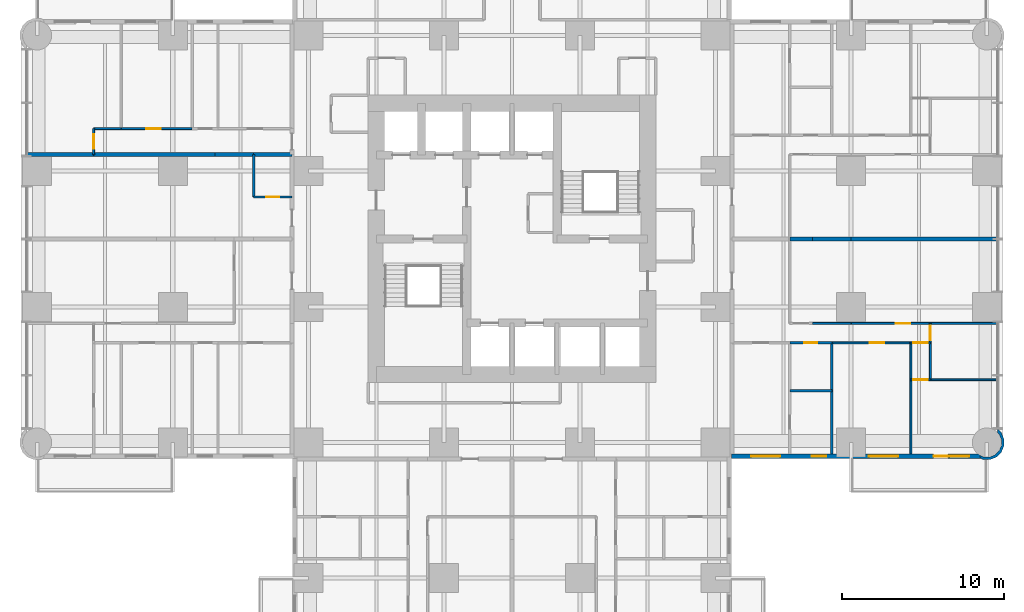
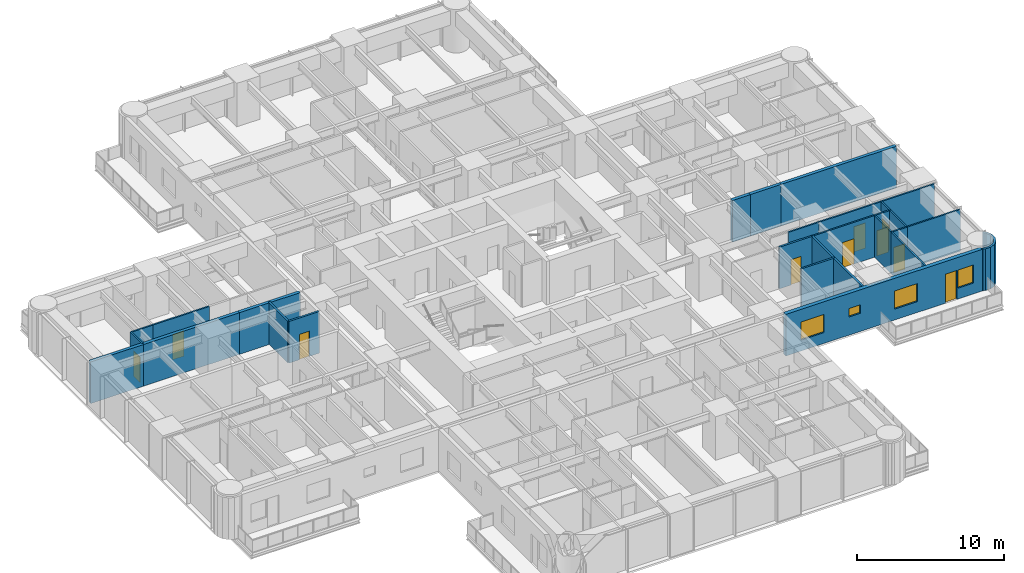
# One storey, part 11 of 17: 29 walls, 10 doors, 4 windows, 14 openings.
"""IFC4 building model written with IfcOpenShell, lengths in metres."""

from ifc_helpers import new_model, si_unit, direction, frame, frame_2d, origin, place, context, subcontext, project, spatial, polyline, rectangle, outline, extrude, material, layer, layer_set, type_object, element, fill, save


model = new_model("IFC4")

# Units and contexts
model_context = context("Model", 3, precision=1e-05, world=origin(), true_north=direction((0.0, 1.0)))
body_context = subcontext(model_context, "Body", "Model", "MODEL_VIEW")
ifc_project = project(units=[si_unit("LENGTHUNIT", "METRE"), si_unit("AREAUNIT", "SQUARE_METRE"), si_unit("VOLUMEUNIT", "CUBIC_METRE"), si_unit("PLANEANGLEUNIT", "RADIAN"), si_unit("MASSUNIT", "GRAM", prefix="KILO")], contexts=[model_context])

# Site, building, storey
site_placement = place(None, origin())
site = spatial("IfcSite", under=ifc_project, at=site_placement, CompositionType="ELEMENT")
building_placement = place(site_placement, origin())
building = spatial("IfcBuilding", under=site, at=building_placement, Name="Torre Alcanfor", CompositionType="ELEMENT")
storey_placement = place(building_placement, frame((0.0, 0.0, 38.10009765625)))
storey = spatial("IfcBuildingStorey", under=building, at=storey_placement, Name="L08", CompositionType="ELEMENT", Elevation=38.10009765625)

# Wall
ifc_material_1 = material(Name="Gypsum board on steel studs", Category="steel")
ifc_layer_1 = layer(ifc_material_1, 0.1201171875)
ifc_layer_set_1 = layer_set([ifc_layer_1], Name="Apartment partition 120")
wall_type_1 = type_object("IfcWallType", Name="Apartment partition 120", PredefinedType="PARTITIONING", material=ifc_layer_set_1)
wall_1_placement = place(storey_placement, frame((50.39990234375, 24.1708984375, 0.0), z_axis=(0.0, 0.0, 1.0), x_axis=(-1.0, 0.0, 0.0)))
element("IfcWall", 1, at=wall_1_placement, inside=storey, type_object=wall_type_1, Name="Partition L08-E2-KITCHEN / L08-E2-HALL", PredefinedType="PARTITIONING", context=body_context, shape_type="SweptSolid", body=[
    extrude(rectangle(XDim=2.39990234375, YDim=0.1201171875, at=frame_2d((1.199951171875, 0.0))), origin(), (0.0, 0.0, 1.0), 3.449951171875),
])

# Wall, opening, door
wall_2_placement = place(storey_placement, frame((55.300048828125, 24.1708984375, 0.0), z_axis=(0.0, 0.0, 1.0), x_axis=(-1.0, 0.0, 0.0)))
wall_2 = element("IfcWall", 2, at=wall_2_placement, inside=storey, type_object=wall_type_1, Name="Partition L08-E2-LIVING / L08-E2-HALL", PredefinedType="PARTITIONING", context=body_context, shape_type="SweptSolid", body=[
    extrude(rectangle(XDim=4.900146484375, YDim=0.1201171875, at=frame_2d((2.4501953125, 0.0))), origin(), (0.0, 0.0, 1.0), 3.449951171875),
])
opening_1_placement = place(wall_2_placement, frame((1.25, 0.0, 0.0)))
opening_1 = element("IfcOpeningElement", 3, at=opening_1_placement, cuts=wall_2, Name="Opening D-R1", PredefinedType="OPENING", context=body_context, shape_type="SweptSolid", body=[
    extrude(rectangle(XDim=0.89990234375, YDim=2.10009765625, at=frame_2d((0.449951171875, 1.050048828125))), frame((0.0, 0.070068359375, 0.0), z_axis=(0.0, -1.0, 0.0), x_axis=(1.0, 0.0, 0.0)), (0.0, 0.0, 1.0), 0.14013671875),
])
ifc_material_2 = material(Name="Timber", Category="wood")
door_type_1 = type_object("IfcDoorType", Name="Internal door 900x2100", OperationType="SINGLE_SWING_LEFT", PredefinedType="DOOR", material=ifc_material_2)
door_1_placement = place(opening_1_placement, frame((0.89990234375, 0.0, 0.0), z_axis=(0.0, 0.0, 1.0), x_axis=(-1.0, 0.0, 0.0)))
door_1 = element("IfcDoor", 4, at=door_1_placement, inside=storey, type_object=door_type_1, Name="Door L08-E2 living", OperationType="SINGLE_SWING_LEFT", OverallHeight=2.10009765625, OverallWidth=0.89990234375, PredefinedType="DOOR", context=body_context, shape_type="SweptSolid", body=[
    extrude(rectangle(XDim=0.89990234375, YDim=2.10009765625, at=frame_2d((0.449951171875, 1.050048828125))), frame((0.0, 0.025146484375, 0.0), z_axis=(0.0, -1.0, 0.0), x_axis=(1.0, 0.0, 0.0)), (0.0, 0.0, 1.0), 0.050048828125),
])
fill(opening_1, door_1)

# Wall
wall_3_placement = place(storey_placement, frame((59.449951171875, 24.1708984375, 0.0), z_axis=(0.0, 0.0, 1.0), x_axis=(-1.0, 0.0, 0.0)))
element("IfcWall", 5, at=wall_3_placement, inside=storey, type_object=wall_type_1, Name="Partition L08-E2-LIVING / L08-E2-BED2", PredefinedType="PARTITIONING", context=body_context, shape_type="SweptSolid", body=[
    extrude(rectangle(XDim=4.14990234375, YDim=0.1201171875, at=frame_2d((2.074951171875, 0.0))), origin(), (0.0, 0.0, 1.0), 3.449951171875),
])

# Wall, opening, door
wall_4_placement = place(storey_placement, frame((54.10009765625, 22.970947265625, 0.0), z_axis=(0.0, 0.0, 1.0), x_axis=(-1.0, 0.0, 0.0)))
wall_4 = element("IfcWall", 6, at=wall_4_placement, inside=storey, type_object=wall_type_1, Name="Partition L08-E2-HALL / L08-E2-BED3", PredefinedType="PARTITIONING", context=body_context, shape_type="SweptSolid", body=[
    extrude(rectangle(XDim=4.900146484375, YDim=0.1201171875, at=frame_2d((2.4501953125, 0.0))), origin(), (0.0, 0.0, 1.0), 3.449951171875),
])
opening_2_placement = place(wall_4_placement, frame((1.64990234375, 0.0, 0.0)))
opening_2 = element("IfcOpeningElement", 7, at=opening_2_placement, cuts=wall_4, Name="Opening D-R1", PredefinedType="OPENING", context=body_context, shape_type="SweptSolid", body=[
    extrude(rectangle(XDim=0.89990234375, YDim=2.10009765625, at=frame_2d((0.449951171875, 1.050048828125))), frame((0.0, 0.070068359375, 0.0), z_axis=(0.0, -1.0, 0.0), x_axis=(1.0, 0.0, 0.0)), (0.0, 0.0, 1.0), 0.14013671875),
])
door_2_placement = place(opening_2_placement, origin())
door_2 = element("IfcDoor", 8, at=door_2_placement, inside=storey, type_object=door_type_1, Name="Door L08-E2 bed3", OperationType="SINGLE_SWING_LEFT", OverallHeight=2.10009765625, OverallWidth=0.89990234375, PredefinedType="DOOR", context=body_context, shape_type="SweptSolid", body=[
    extrude(rectangle(XDim=0.89990234375, YDim=2.10009765625, at=frame_2d((0.449951171875, 1.050048828125))), frame((0.0, 0.02490234375, 0.0), z_axis=(0.0, -1.0, 0.0), x_axis=(1.0, 0.0, 0.0)), (0.0, 0.0, 1.0), 0.050048828125),
])
fill(opening_2, door_2)

wall_5_placement = place(storey_placement, frame((55.300048828125, 22.970947265625, 0.0), z_axis=(0.0, 0.0, 1.0), x_axis=(-1.0, 0.0, 0.0)))
wall_5 = element("IfcWall", 9, at=wall_5_placement, inside=storey, type_object=wall_type_1, Name="Partition L08-E2-HALL / L08-E2-VEST", PredefinedType="PARTITIONING", context=body_context, shape_type="SweptSolid", body=[
    extrude(rectangle(XDim=1.199951171875, YDim=0.1201171875, at=frame_2d((0.60009765625, 0.0))), origin(), (0.0, 0.0, 1.0), 3.449951171875),
])
opening_3_placement = place(wall_5_placement, frame((0.14990234375, 0.0, 0.0)))
opening_3 = element("IfcOpeningElement", 10, at=opening_3_placement, cuts=wall_5, Name="Opening D-R1", PredefinedType="OPENING", context=body_context, shape_type="SweptSolid", body=[
    extrude(rectangle(XDim=0.89990234375, YDim=2.10009765625, at=frame_2d((0.449951171875, 1.050048828125))), frame((0.0, 0.070068359375, 0.0), z_axis=(0.0, -1.0, 0.0), x_axis=(1.0, 0.0, 0.0)), (0.0, 0.0, 1.0), 0.14013671875),
])
door_3_placement = place(opening_3_placement, origin())
door_3 = element("IfcDoor", 11, at=door_3_placement, inside=storey, type_object=door_type_1, Name="Door L08-E2 vest", OperationType="SINGLE_SWING_LEFT", OverallHeight=2.10009765625, OverallWidth=0.89990234375, PredefinedType="DOOR", context=body_context, shape_type="SweptSolid", body=[
    extrude(rectangle(XDim=0.89990234375, YDim=2.10009765625, at=frame_2d((0.449951171875, 1.050048828125))), frame((0.0, 0.02490234375, 0.0), z_axis=(0.0, -1.0, 0.0), x_axis=(1.0, 0.0, 0.0)), (0.0, 0.0, 1.0), 0.050048828125),
])
fill(opening_3, door_3)

wall_6_placement = place(storey_placement, frame((55.300048828125, 24.1708984375, 0.0), z_axis=(0.0, 0.0, 1.0), x_axis=(0.0, -1.0, 0.0)))
wall_6 = element("IfcWall", 12, at=wall_6_placement, inside=storey, type_object=wall_type_1, Name="Partition L08-E2-HALL / L08-E2-BED2", PredefinedType="PARTITIONING", context=body_context, shape_type="SweptSolid", body=[
    extrude(rectangle(XDim=1.199951171875, YDim=0.1201171875, at=frame_2d((0.60009765625, 0.0))), origin(), (0.0, 0.0, 1.0), 3.449951171875),
])
opening_4_placement = place(wall_6_placement, frame((0.15087890625, 0.0, 0.0)))
opening_4 = element("IfcOpeningElement", 13, at=opening_4_placement, cuts=wall_6, Name="Opening D-R1", PredefinedType="OPENING", context=body_context, shape_type="SweptSolid", body=[
    extrude(rectangle(XDim=0.89990234375, YDim=2.10009765625, at=frame_2d((0.449951171875, 1.050048828125))), frame((0.0, 0.070068359375, 0.0), z_axis=(0.0, -1.0, 0.0), x_axis=(1.0, 0.0, 0.0)), (0.0, 0.0, 1.0), 0.14013671875),
])
door_4_placement = place(opening_4_placement, origin())
door_4 = element("IfcDoor", 14, at=door_4_placement, inside=storey, type_object=door_type_1, Name="Door L08-E2 bed2", OperationType="SINGLE_SWING_LEFT", OverallHeight=2.10009765625, OverallWidth=0.89990234375, PredefinedType="DOOR", context=body_context, shape_type="SweptSolid", body=[
    extrude(rectangle(XDim=0.89990234375, YDim=2.10009765625, at=frame_2d((0.449951171875, 1.050048828125))), frame((0.0, 0.02490234375, 0.0), z_axis=(0.0, -1.0, 0.0), x_axis=(1.0, 0.0, 0.0)), (0.0, 0.0, 1.0), 0.050048828125),
])
fill(opening_4, door_4)

# Walls
wall_7_placement = place(storey_placement, frame((54.10009765625, 22.970947265625, 0.0), z_axis=(0.0, 0.0, 1.0), x_axis=(0.0, -1.0, 0.0)))
element("IfcWall", 15, at=wall_7_placement, inside=storey, type_object=wall_type_1, Name="Partition L08-E2-BED3 / L08-E2-VEST", PredefinedType="PARTITIONING", context=body_context, shape_type="SweptSolid", body=[
    extrude(rectangle(XDim=2.284912109375, YDim=0.1201171875, at=frame_2d((1.142578125, 0.0))), origin(), (0.0, 0.0, 1.0), 3.449951171875),
])
wall_8_placement = place(storey_placement, frame((54.10009765625, 20.68603515625, 0.0), z_axis=(0.0, 0.0, 1.0), x_axis=(0.0, -1.0, 0.0)))
element("IfcWall", 16, at=wall_8_placement, inside=storey, type_object=wall_type_1, Name="Partition L08-E2-BED3 / L08-E2-MASTER", PredefinedType="PARTITIONING", context=body_context, shape_type="SweptSolid", body=[
    extrude(rectangle(XDim=4.5859375, YDim=0.1201171875, at=frame_2d((2.29296875, 0.0))), origin(), (0.0, 0.0, 1.0), 3.449951171875),
])
wall_9_placement = place(storey_placement, frame((55.300048828125, 22.970947265625, 0.0), z_axis=(0.0, 0.0, 1.0), x_axis=(0.0, -1.0, 0.0)))
element("IfcWall", 17, at=wall_9_placement, inside=storey, type_object=wall_type_1, Name="Partition L08-E2-VEST / L08-E2-BED2", PredefinedType="PARTITIONING", context=body_context, shape_type="SweptSolid", body=[
    extrude(rectangle(XDim=2.284912109375, YDim=0.1201171875, at=frame_2d((1.142578125, 0.0))), origin(), (0.0, 0.0, 1.0), 3.449951171875),
])

# Wall, opening, door
wall_10_placement = place(storey_placement, frame((55.300048828125, 20.68603515625, 0.0), z_axis=(0.0, 0.0, 1.0), x_axis=(-1.0, 0.0, 0.0)))
wall_10 = element("IfcWall", 18, at=wall_10_placement, inside=storey, type_object=wall_type_1, Name="Partition L08-E2-VEST / L08-E2-MASTER", PredefinedType="PARTITIONING", context=body_context, shape_type="SweptSolid", body=[
    extrude(rectangle(XDim=1.199951171875, YDim=0.1201171875, at=frame_2d((0.60009765625, 0.0))), origin(), (0.0, 0.0, 1.0), 3.449951171875),
])
opening_5_placement = place(wall_10_placement, frame((0.14990234375, 0.0, 0.0)))
opening_5 = element("IfcOpeningElement", 19, at=opening_5_placement, cuts=wall_10, Name="Opening D-R1", PredefinedType="OPENING", context=body_context, shape_type="SweptSolid", body=[
    extrude(rectangle(XDim=0.89990234375, YDim=2.10009765625, at=frame_2d((0.449951171875, 1.050048828125))), frame((0.0, 0.070068359375, 0.0), z_axis=(0.0, -1.0, 0.0), x_axis=(1.0, 0.0, 0.0)), (0.0, 0.0, 1.0), 0.14013671875),
])
door_5_placement = place(opening_5_placement, frame((0.89990234375, 0.0, 0.0), z_axis=(0.0, 0.0, 1.0), x_axis=(-1.0, 0.0, 0.0)))
door_5 = element("IfcDoor", 20, at=door_5_placement, inside=storey, type_object=door_type_1, Name="Door L08-E2 master", OperationType="SINGLE_SWING_RIGHT", OverallHeight=2.10009765625, OverallWidth=0.89990234375, PredefinedType="DOOR", context=body_context, shape_type="SweptSolid", body=[
    extrude(rectangle(XDim=0.89990234375, YDim=2.10009765625, at=frame_2d((0.449951171875, 1.050048828125))), frame((0.0, 0.025146484375, 0.0), z_axis=(0.0, -1.0, 0.0), x_axis=(1.0, 0.0, 0.0)), (0.0, 0.0, 1.0), 0.050048828125),
])
fill(opening_5, door_5)

# Wall
wall_11_placement = place(storey_placement, frame((59.449951171875, 20.68603515625, 0.0), z_axis=(0.0, 0.0, 1.0), x_axis=(-1.0, 0.0, 0.0)))
element("IfcWall", 21, at=wall_11_placement, inside=storey, type_object=wall_type_1, Name="Partition L08-E2-BED2 / L08-E2-MASTER", PredefinedType="PARTITIONING", context=body_context, shape_type="SweptSolid", body=[
    extrude(rectangle(XDim=4.14990234375, YDim=0.1201171875, at=frame_2d((2.074951171875, 0.0))), origin(), (0.0, 0.0, 1.0), 3.449951171875),
])

# Wall, opening, door
wall_12_placement = place(storey_placement, frame((5.199951171875, 36.22900390625, 0.0), z_axis=(0.0, 0.0, 1.0), x_axis=(1.0, 0.0, 0.0)))
wall_12 = element("IfcWall", 22, at=wall_12_placement, inside=storey, type_object=wall_type_1, Name="Partition L08-W2B-HALL / L08-W2B-STUDY", PredefinedType="PARTITIONING", context=body_context, shape_type="SweptSolid", body=[
    extrude(rectangle(XDim=4.400146484375, YDim=0.1201171875, at=frame_2d((2.2001953125, 0.0))), origin(), (0.0, 0.0, 1.0), 3.449951171875),
])
opening_6_placement = place(wall_12_placement, frame((1.550048828125, 0.0, 0.0)))
opening_6 = element("IfcOpeningElement", 23, at=opening_6_placement, cuts=wall_12, Name="Opening D-R1", PredefinedType="OPENING", context=body_context, shape_type="SweptSolid", body=[
    extrude(rectangle(XDim=0.89990234375, YDim=2.10009765625, at=frame_2d((0.449951171875, 1.050048828125))), frame((0.0, 0.070068359375, 0.0), z_axis=(0.0, -1.0, 0.0), x_axis=(1.0, 0.0, 0.0)), (0.0, 0.0, 1.0), 0.14013671875),
])
door_6_placement = place(opening_6_placement, origin())
door_6 = element("IfcDoor", 24, at=door_6_placement, inside=storey, type_object=door_type_1, Name="Door L08-W2B study", OperationType="SINGLE_SWING_LEFT", OverallHeight=2.10009765625, OverallWidth=0.89990234375, PredefinedType="DOOR", context=body_context, shape_type="SweptSolid", body=[
    extrude(rectangle(XDim=0.89990234375, YDim=2.10009765625, at=frame_2d((0.449951171875, 1.050048828125))), frame((0.0, 0.02490234375, 0.0), z_axis=(0.0, -1.0, 0.0), x_axis=(1.0, 0.0, 0.0)), (0.0, 0.0, 1.0), 0.050048828125),
])
fill(opening_6, door_6)

# Wall
wall_13_placement = place(storey_placement, frame((3.5, 36.22900390625, 0.0), z_axis=(0.0, 0.0, 1.0), x_axis=(1.0, 0.0, 0.0)))
element("IfcWall", 25, at=wall_13_placement, inside=storey, type_object=wall_type_1, Name="Partition L08-W2B-HALL / L08-W2B-KITCHEN", PredefinedType="PARTITIONING", context=body_context, shape_type="SweptSolid", body=[
    extrude(rectangle(XDim=1.699951171875, YDim=0.1201171875, at=frame_2d((0.85009765625, 0.0))), origin(), (0.0, 0.0, 1.0), 3.449951171875),
])

# Wall, opening, door
wall_14_placement = place(storey_placement, frame((3.5, 34.62890625, 0.0), z_axis=(0.0, 0.0, 1.0), x_axis=(0.0, 1.0, 0.0)))
wall_14 = element("IfcWall", 26, at=wall_14_placement, inside=storey, type_object=wall_type_1, Name="Partition L08-W2B-HALL / L08-W2B-LIVING", PredefinedType="PARTITIONING", context=body_context, shape_type="SweptSolid", body=[
    extrude(rectangle(XDim=1.60009765625, YDim=0.1201171875, at=frame_2d((0.800048828125, 0.0))), origin(), (0.0, 0.0, 1.0), 3.449951171875),
])
opening_7_placement = place(wall_14_placement, frame((0.35009765625, 0.0, 0.0)))
opening_7 = element("IfcOpeningElement", 27, at=opening_7_placement, cuts=wall_14, Name="Opening D-R1", PredefinedType="OPENING", context=body_context, shape_type="SweptSolid", body=[
    extrude(rectangle(XDim=0.89990234375, YDim=2.10009765625, at=frame_2d((0.449951171875, 1.050048828125))), frame((0.0, 0.070068359375, 0.0), z_axis=(0.0, -1.0, 0.0), x_axis=(1.0, 0.0, 0.0)), (0.0, 0.0, 1.0), 0.14013671875),
])
door_7_placement = place(opening_7_placement, origin())
door_7 = element("IfcDoor", 28, at=door_7_placement, inside=storey, type_object=door_type_1, Name="Door L08-W2B living", OperationType="SINGLE_SWING_LEFT", OverallHeight=2.10009765625, OverallWidth=0.89990234375, PredefinedType="DOOR", context=body_context, shape_type="SweptSolid", body=[
    extrude(rectangle(XDim=0.89990234375, YDim=2.10009765625, at=frame_2d((0.449951171875, 1.050048828125))), frame((0.0, 0.02490234375, 0.0), z_axis=(0.0, -1.0, 0.0), x_axis=(1.0, 0.0, 0.0)), (0.0, 0.0, 1.0), 0.050048828125),
])
fill(opening_7, door_7)

# Wall, openings, door, windows
ifc_material_3 = material(Name="Limestone cladding", Category="masonry")
ifc_layer_2 = layer(ifc_material_3, 0.0400390625, Name="Facing")
ifc_material_4 = material(Name="Ventilated air cavity")
ifc_layer_3 = layer(ifc_material_4, 0.02001953125, ventilated=True, Name="Ventilated joint")
ifc_material_5 = material(Name="Mineral wool insulation", Category="insulation")
ifc_layer_4 = layer(ifc_material_5, 0.10009765625, Name="Insulation")
ifc_material_6 = material(Name="Concrete f'c 35 MPa", Category="concrete")
ifc_layer_5 = layer(ifc_material_6, 0.139892578125, Name="Backing")
ifc_layer_set_2 = layer_set([ifc_layer_2, ifc_layer_3, ifc_layer_4, ifc_layer_5], Name="External wall stone-clad 300")
wall_type_2 = type_object("IfcWallType", Name="External wall stone-clad 300", PredefinedType="SOLIDWALL", material=ifc_layer_set_2)
wall_15_placement = place(storey_placement, frame((43.0, 15.949951171875, 0.0), z_axis=(0.0, 0.0, 1.0), x_axis=(1.0, 0.0, 0.0)))
wall_15 = element("IfcWall", 29, at=wall_15_placement, inside=storey, type_object=wall_type_2, Name="External wall L08 7", PredefinedType="SOLIDWALL", context=body_context, shape_type="SweptSolid", body=[
    extrude(rectangle(XDim=15.39990234375, YDim=0.300048828125, at=frame_2d((7.699951171875, 0.0))), origin(), (0.0, 0.0, 1.0), 3.449951171875),
])
opening_8_placement = place(wall_15_placement, frame((1.199951171875, 0.0, 0.89990234375)))
opening_8 = element("IfcOpeningElement", 30, at=opening_8_placement, cuts=wall_15, Name="Opening W2", PredefinedType="OPENING", context=body_context, shape_type="SweptSolid", body=[
    extrude(rectangle(XDim=1.800048828125, YDim=1.5, at=frame_2d((0.89990234375, 0.75))), frame((0.0, 0.159912109375, 0.0), z_axis=(0.0, -1.0, 0.0), x_axis=(1.0, 0.0, 0.0)), (0.0, 0.0, 1.0), 0.320068359375),
])
opening_9_placement = place(wall_15_placement, frame((4.949951171875, 0.0, 1.5)))
opening_9 = element("IfcOpeningElement", 31, at=opening_9_placement, cuts=wall_15, Name="Opening W3", PredefinedType="OPENING", context=body_context, shape_type="SweptSolid", body=[
    extrude(rectangle(XDim=0.89990234375, YDim=0.699951171875, at=frame_2d((0.449951171875, 0.35009765625))), frame((0.0, 0.159912109375, 0.0), z_axis=(0.0, -1.0, 0.0), x_axis=(1.0, 0.0, 0.0)), (0.0, 0.0, 1.0), 0.320068359375),
])
opening_10_placement = place(wall_15_placement, frame((8.5, 0.0, 0.89990234375)))
opening_10 = element("IfcOpeningElement", 32, at=opening_10_placement, cuts=wall_15, Name="Opening W2", PredefinedType="OPENING", context=body_context, shape_type="SweptSolid", body=[
    extrude(rectangle(XDim=1.800048828125, YDim=1.5, at=frame_2d((0.89990234375, 0.75))), frame((0.0, 0.159912109375, 0.0), z_axis=(0.0, -1.0, 0.0), x_axis=(1.0, 0.0, 0.0)), (0.0, 0.0, 1.0), 0.320068359375),
])
opening_11_placement = place(wall_15_placement, frame((12.5, 0.0, 0.0)))
opening_11 = element("IfcOpeningElement", 33, at=opening_11_placement, cuts=wall_15, Name="Opening D-B1", PredefinedType="OPENING", context=body_context, shape_type="SweptSolid", body=[
    extrude(rectangle(XDim=0.89990234375, YDim=2.39990234375, at=frame_2d((0.449951171875, 1.199951171875))), frame((0.0, 0.159912109375, 0.0), z_axis=(0.0, -1.0, 0.0), x_axis=(1.0, 0.0, 0.0)), (0.0, 0.0, 1.0), 0.320068359375),
])
opening_12_placement = place(wall_15_placement, frame((13.5, 0.0, 0.89990234375)))
opening_12 = element("IfcOpeningElement", 34, at=opening_12_placement, cuts=wall_15, Name="Opening W4", PredefinedType="OPENING", context=body_context, shape_type="SweptSolid", body=[
    extrude(rectangle(XDim=1.199951171875, YDim=1.5, at=frame_2d((0.60009765625, 0.75))), frame((0.0, 0.159912109375, 0.0), z_axis=(0.0, -1.0, 0.0), x_axis=(1.0, 0.0, 0.0)), (0.0, 0.0, 1.0), 0.320068359375),
])
ifc_material_7 = material(Name="Aluminium and glass", Category="aluminium")
door_type_2 = type_object("IfcDoorType", Name="Balcony door glazed 900x2400", OperationType="SINGLE_SWING_LEFT", PredefinedType="DOOR", material=ifc_material_7)
door_8_placement = place(opening_11_placement, origin())
door_8 = element("IfcDoor", 35, at=door_8_placement, inside=storey, type_object=door_type_2, Name="Balcony door L08-E2", OperationType="SINGLE_SWING_LEFT", OverallHeight=2.39990234375, OverallWidth=0.89990234375, PredefinedType="DOOR", context=body_context, shape_type="SweptSolid", body=[
    extrude(rectangle(XDim=0.89990234375, YDim=2.39990234375, at=frame_2d((0.449951171875, 1.199951171875))), frame((0.0, 0.02490234375, 0.0), z_axis=(0.0, -1.0, 0.0), x_axis=(1.0, 0.0, 0.0)), (0.0, 0.0, 1.0), 0.050048828125),
])
fill(opening_11, door_8)
ifc_material_8 = material(Name="Aluminium frame with clear double glazing", Category="aluminium")
window_type_1 = type_object("IfcWindowType", Name="Window bathroom 900x700", PartitioningType="SINGLE_PANEL", PredefinedType="WINDOW", material=ifc_material_8)
window_1_placement = place(opening_9_placement, origin())
window_1 = element("IfcWindow", 36, at=window_1_placement, inside=storey, type_object=window_type_1, Name="Window W3 L08-E2", OverallHeight=0.699951171875, OverallWidth=0.89990234375, PartitioningType="SINGLE_PANEL", PredefinedType="WINDOW", context=body_context, shape_type="SweptSolid", body=[
    extrude(rectangle(XDim=0.89990234375, YDim=0.699951171875, at=frame_2d((0.449951171875, 0.35009765625))), frame((0.0, 0.030029296875, 0.0), z_axis=(0.0, -1.0, 0.0), x_axis=(1.0, 0.0, 0.0)), (0.0, 0.0, 1.0), 0.06005859375),
])
fill(opening_9, window_1)
ifc_material_9 = material(Name="Aluminium frame with clear double glazing", Category="aluminium")
window_type_2 = type_object("IfcWindowType", Name="Window bedroom 1200x1500", PartitioningType="SINGLE_PANEL", PredefinedType="WINDOW", material=ifc_material_9)
window_2_placement = place(opening_12_placement, origin())
window_2 = element("IfcWindow", 37, at=window_2_placement, inside=storey, type_object=window_type_2, Name="Window W4 L08-E2", OverallHeight=1.5, OverallWidth=1.199951171875, PartitioningType="SINGLE_PANEL", PredefinedType="WINDOW", context=body_context, shape_type="SweptSolid", body=[
    extrude(rectangle(XDim=1.199951171875, YDim=1.5, at=frame_2d((0.60009765625, 0.75))), frame((0.0, 0.030029296875, 0.0), z_axis=(0.0, -1.0, 0.0), x_axis=(1.0, 0.0, 0.0)), (0.0, 0.0, 1.0), 0.06005859375),
])
fill(opening_12, window_2)
ifc_material_10 = material(Name="Aluminium frame with clear double glazing", Category="aluminium")
window_type_3 = type_object("IfcWindowType", Name="Window bedroom 1800x1500", PartitioningType="SINGLE_PANEL", PredefinedType="WINDOW", material=ifc_material_10)
window_3_placement = place(opening_8_placement, origin())
window_3 = element("IfcWindow", 38, at=window_3_placement, inside=storey, type_object=window_type_3, Name="Window W2 L08-E2", OverallHeight=1.5, OverallWidth=1.800048828125, PartitioningType="SINGLE_PANEL", PredefinedType="WINDOW", context=body_context, shape_type="SweptSolid", body=[
    extrude(rectangle(XDim=1.800048828125, YDim=1.5, at=frame_2d((0.89990234375, 0.75))), frame((0.0, 0.030029296875, 0.0), z_axis=(0.0, -1.0, 0.0), x_axis=(1.0, 0.0, 0.0)), (0.0, 0.0, 1.0), 0.06005859375),
])
fill(opening_8, window_3)
window_4_placement = place(opening_10_placement, origin())
window_4 = element("IfcWindow", 39, at=window_4_placement, inside=storey, type_object=window_type_3, Name="Window W2 L08-E2", OverallHeight=1.5, OverallWidth=1.800048828125, PartitioningType="SINGLE_PANEL", PredefinedType="WINDOW", context=body_context, shape_type="SweptSolid", body=[
    extrude(rectangle(XDim=1.800048828125, YDim=1.5, at=frame_2d((0.89990234375, 0.75))), frame((0.0, 0.030029296875, 0.0), z_axis=(0.0, -1.0, 0.0), x_axis=(1.0, 0.0, 0.0)), (0.0, 0.0, 1.0), 0.06005859375),
])
fill(opening_10, window_4)

# Walls
ifc_material_11 = material(Name="Concrete block masonry, hollow blocks NMX-C-404 9 MPa", Category="masonry")
ifc_layer_6 = layer(ifc_material_11, 0.25)
ifc_layer_set_3 = layer_set([ifc_layer_6], Name="Party wall 250 EI 60")
wall_type_3 = type_object("IfcWallType", Name="Party wall 250 EI 60", PredefinedType="PARTITIONING", material=ifc_layer_set_3)
wall_16_placement = place(storey_placement, frame((46.60009765625, 29.39990234375, 0.0), z_axis=(0.0, 0.0, 1.0), x_axis=(1.0, 0.0, 0.0)))
element("IfcWall", 40, at=wall_16_placement, inside=storey, type_object=wall_type_3, Name="Partition L08-E1-LAUND / L08-E2-LAUND", PredefinedType="PARTITIONING", context=body_context, shape_type="SweptSolid", body=[
    extrude(rectangle(XDim=1.39990234375, YDim=0.25, at=frame_2d((0.699951171875, 0.0))), origin(), (0.0, 0.0, 1.0), 3.449951171875),
])
wall_17_placement = place(storey_placement, frame((48.0, 29.39990234375, 0.0), z_axis=(0.0, 0.0, 1.0), x_axis=(1.0, 0.0, 0.0)))
element("IfcWall", 41, at=wall_17_placement, inside=storey, type_object=wall_type_3, Name="Partition L08-E1-KITCHEN / L08-E2-KITCHEN", PredefinedType="PARTITIONING", context=body_context, shape_type="SweptSolid", body=[
    extrude(rectangle(XDim=2.39990234375, YDim=0.25, at=frame_2d((1.199951171875, 0.0))), origin(), (0.0, 0.0, 1.0), 3.449951171875),
])
wall_18_placement = place(storey_placement, frame((50.39990234375, 29.39990234375, 0.0), z_axis=(0.0, 0.0, 1.0), x_axis=(1.0, 0.0, 0.0)))
element("IfcWall", 42, at=wall_18_placement, inside=storey, type_object=wall_type_3, Name="Partition L08-E1-LIVING / L08-E2-LIVING", PredefinedType="PARTITIONING", context=body_context, shape_type="SweptSolid", body=[
    extrude(rectangle(XDim=9.050048828125, YDim=0.25, at=frame_2d((4.52490234375, 0.0))), origin(), (0.0, 0.0, 1.0), 3.449951171875),
])
wall_19_placement = place(storey_placement, frame((13.39990234375, 34.62890625, 0.0), z_axis=(0.0, 0.0, 1.0), x_axis=(1.0, 0.0, 0.0)))
element("IfcWall", 43, at=wall_19_placement, inside=storey, type_object=wall_type_3, Name="Partition L08-W2A-BATH / L08-W2B-HALL", PredefinedType="PARTITIONING", context=body_context, shape_type="SweptSolid", body=[
    extrude(rectangle(XDim=2.375, YDim=0.25, at=frame_2d((1.1875, 0.0))), origin(), (0.0, 0.0, 1.0), 3.449951171875),
])
wall_20_placement = place(storey_placement, frame((11.0, 34.62890625, 0.0), z_axis=(0.0, 0.0, 1.0), x_axis=(1.0, 0.0, 0.0)))
element("IfcWall", 44, at=wall_20_placement, inside=storey, type_object=wall_type_3, Name="Partition L08-W2A-KITCHEN / L08-W2B-HALL", PredefinedType="PARTITIONING", context=body_context, shape_type="SweptSolid", body=[
    extrude(rectangle(XDim=2.39990234375, YDim=0.25, at=frame_2d((1.199951171875, 0.0))), origin(), (0.0, 0.0, 1.0), 3.449951171875),
])
wall_21_placement = place(storey_placement, frame((3.5, 34.62890625, 0.0), z_axis=(0.0, 0.0, 1.0), x_axis=(1.0, 0.0, 0.0)))
element("IfcWall", 45, at=wall_21_placement, inside=storey, type_object=wall_type_3, Name="Partition L08-W2A-STUDIO / L08-W2B-HALL", PredefinedType="PARTITIONING", context=body_context, shape_type="SweptSolid", body=[
    extrude(rectangle(XDim=7.5, YDim=0.25, at=frame_2d((3.75, 0.0))), origin(), (0.0, 0.0, 1.0), 3.449951171875),
])
wall_22_placement = place(storey_placement, frame((-0.64990234375, 34.62890625, 0.0), z_axis=(0.0, 0.0, 1.0), x_axis=(1.0, 0.0, 0.0)))
element("IfcWall", 46, at=wall_22_placement, inside=storey, type_object=wall_type_3, Name="Partition L08-W2A-STUDIO / L08-W2B-LIVING", PredefinedType="PARTITIONING", context=body_context, shape_type="SweptSolid", body=[
    extrude(rectangle(XDim=4.14990234375, YDim=0.25, at=frame_2d((2.074951171875, 0.0))), origin(), (0.0, 0.0, 1.0), 3.449951171875),
])
ifc_layer_7 = layer(ifc_material_3, 0.0400390625, Name="Facing")
ifc_layer_8 = layer(ifc_material_4, 0.02001953125, ventilated=True, Name="Ventilated joint")
ifc_layer_9 = layer(ifc_material_5, 0.10009765625, Name="Insulation")
ifc_layer_10 = layer(ifc_material_6, 0.139892578125, Name="Backing")
ifc_layer_set_4 = layer_set([ifc_layer_7, ifc_layer_8, ifc_layer_9, ifc_layer_10], Name="Rounded corner pier stone-clad 300")
wall_type_4 = type_object("IfcWallType", Name="Rounded corner pier stone-clad 300", PredefinedType="SOLIDWALL", material=ifc_layer_set_4)
wall_23_placement = place(storey_placement, frame((58.436037137, 15.890092843, 0.0), z_axis=(0.0, 0.0, 1.0), x_axis=(0.926129809145, -0.377204953059, 0.0)))
element("IfcWall", 47, at=wall_23_placement, inside=storey, type_object=wall_type_4, Name="Corner pier L08 17", PredefinedType="SOLIDWALL", context=body_context, shape_type="SweptSolid", body=[
    extrude(outline(polyline([(0.769166837716128, 1.7276108100514604), (0.7500653632983351, 1.7227306908268178), (0.5995000244675756, 1.8749338844742405), (0.2945752424497483, 2.003546223814982), (0.2810088878235957, 1.9980207606354041), (0.36029928445054193, 1.803343571750114), (0.5086711604613772, 1.740666542271283), (0.7606181499848057, 1.4858220995022824), (0.8958078157784841, 1.153898622982415), (0.8937038530249802, 0.7953177307388815), (0.7545964309992416, 0.4650292826997394), (0.49975198823024103, 0.21308229317631072), (0.16782851171037358, 0.07789262738263233), (-0.0998950178182167, 0.07956887308382314), (0.0004995392280573718, -0.09702266930253471), (0.03004451591433495, -0.08024419760165923), (0.19838601885213236, -0.08127415720020953), (0.5888709261748919, 0.07776709131864781), (0.888863773202199, 0.37420041869354087), (1.0524038230869968, 0.7629450169505976), (1.0552007062717619, 1.1845482211771667), (0.8961594577529046, 1.5750331284999262), (0.777713405588319, 1.694976661367872), (0.769166837716128, 1.7276108100514604)])), origin(), (0.0, 0.0, 1.0), 3.449951171875),
])

# Wall, opening, door
ifc_material_12 = material(Name="Cement board on steel studs", Category="steel")
ifc_layer_11 = layer(ifc_material_12, 0.14990234375)
ifc_layer_set_5 = layer_set([ifc_layer_11], Name="Wet area partition 150")
wall_type_5 = type_object("IfcWallType", Name="Wet area partition 150", PredefinedType="PARTITIONING", material=ifc_layer_set_5)
wall_24_placement = place(storey_placement, frame((49.199951171875, 22.970947265625, 0.0), z_axis=(0.0, 0.0, 1.0), x_axis=(-1.0, 0.0, 0.0)))
wall_24 = element("IfcWall", 48, at=wall_24_placement, inside=storey, type_object=wall_type_5, Name="Partition L08-E2-HALL / L08-E2-BATH1", PredefinedType="PARTITIONING", context=body_context, shape_type="SweptSolid", body=[
    extrude(rectangle(XDim=2.599853515625, YDim=0.14990234375, at=frame_2d((1.2998046875, 0.0))), origin(), (0.0, 0.0, 1.0), 3.449951171875),
])
opening_13_placement = place(wall_24_placement, frame((0.89990234375, 0.0, 0.0)))
opening_13 = element("IfcOpeningElement", 49, at=opening_13_placement, cuts=wall_24, Name="Opening D-R2", PredefinedType="OPENING", context=body_context, shape_type="SweptSolid", body=[
    extrude(rectangle(XDim=0.800048828125, YDim=2.10009765625, at=frame_2d((0.39990234375, 1.050048828125))), frame((0.0, 0.0849609375, 0.0), z_axis=(0.0, -1.0, 0.0), x_axis=(1.0, 0.0, 0.0)), (0.0, 0.0, 1.0), 0.169921875),
])
ifc_material_13 = material(Name="Timber", Category="wood")
door_type_3 = type_object("IfcDoorType", Name="Bathroom door 800x2100", OperationType="SINGLE_SWING_LEFT", PredefinedType="DOOR", material=ifc_material_13)
door_9_placement = place(opening_13_placement, origin())
door_9 = element("IfcDoor", 50, at=door_9_placement, inside=storey, type_object=door_type_3, Name="Door L08-E2 bath1", OperationType="SINGLE_SWING_LEFT", OverallHeight=2.10009765625, OverallWidth=0.800048828125, PredefinedType="DOOR", context=body_context, shape_type="SweptSolid", body=[
    extrude(rectangle(XDim=0.800048828125, YDim=2.10009765625, at=frame_2d((0.39990234375, 1.050048828125))), frame((0.0, 0.02490234375, 0.0), z_axis=(0.0, -1.0, 0.0), x_axis=(1.0, 0.0, 0.0)), (0.0, 0.0, 1.0), 0.050048828125),
])
fill(opening_13, door_9)

# Walls
wall_25_placement = place(storey_placement, frame((49.199951171875, 20.0, 0.0), z_axis=(0.0, 0.0, 1.0), x_axis=(-1.0, 0.0, 0.0)))
element("IfcWall", 51, at=wall_25_placement, inside=storey, type_object=wall_type_5, Name="Partition L08-E2-BATH1 / L08-E2-SBATH", PredefinedType="PARTITIONING", context=body_context, shape_type="SweptSolid", body=[
    extrude(rectangle(XDim=2.599853515625, YDim=0.14990234375, at=frame_2d((1.2998046875, 0.0))), origin(), (0.0, 0.0, 1.0), 3.449951171875),
])
wall_26_placement = place(storey_placement, frame((49.199951171875, 22.970947265625, 0.0), z_axis=(0.0, 0.0, 1.0), x_axis=(0.0, -1.0, 0.0)))
element("IfcWall", 52, at=wall_26_placement, inside=storey, type_object=wall_type_5, Name="Partition L08-E2-BATH1 / L08-E2-BED3", PredefinedType="PARTITIONING", context=body_context, shape_type="SweptSolid", body=[
    extrude(rectangle(XDim=2.970947265625, YDim=0.14990234375, at=frame_2d((1.4853515625, 0.0))), origin(), (0.0, 0.0, 1.0), 3.449951171875),
])
wall_27_placement = place(storey_placement, frame((49.199951171875, 20.0, 0.0), z_axis=(0.0, 0.0, 1.0), x_axis=(0.0, -1.0, 0.0)))
element("IfcWall", 53, at=wall_27_placement, inside=storey, type_object=wall_type_5, Name="Partition L08-E2-SBATH / L08-E2-BED3", PredefinedType="PARTITIONING", context=body_context, shape_type="SweptSolid", body=[
    extrude(rectangle(XDim=3.89990234375, YDim=0.14990234375, at=frame_2d((1.949951171875, 0.0))), origin(), (0.0, 0.0, 1.0), 3.449951171875),
])

# Wall, opening, door
wall_28_placement = place(storey_placement, frame((13.39990234375, 32.0, 0.0), z_axis=(0.0, 0.0, 1.0), x_axis=(1.0, 0.0, 0.0)))
wall_28 = element("IfcWall", 54, at=wall_28_placement, inside=storey, type_object=wall_type_5, Name="Partition L08-W2A-FOYER / L08-W2A-BATH", PredefinedType="PARTITIONING", context=body_context, shape_type="SweptSolid", body=[
    extrude(rectangle(XDim=2.375, YDim=0.14990234375, at=frame_2d((1.1875, 0.0))), origin(), (0.0, 0.0, 1.0), 3.449951171875),
])
opening_14_placement = place(wall_28_placement, frame((0.800048828125, 0.0, 0.0)))
opening_14 = element("IfcOpeningElement", 55, at=opening_14_placement, cuts=wall_28, Name="Opening D-R2", PredefinedType="OPENING", context=body_context, shape_type="SweptSolid", body=[
    extrude(rectangle(XDim=0.800048828125, YDim=2.10009765625, at=frame_2d((0.39990234375, 1.050048828125))), frame((0.0, 0.0849609375, 0.0), z_axis=(0.0, -1.0, 0.0), x_axis=(1.0, 0.0, 0.0)), (0.0, 0.0, 1.0), 0.169921875),
])
door_10_placement = place(opening_14_placement, origin())
door_10 = element("IfcDoor", 56, at=door_10_placement, inside=storey, type_object=door_type_3, Name="Door L08-W2A bath", OperationType="SINGLE_SWING_RIGHT", OverallHeight=2.10009765625, OverallWidth=0.800048828125, PredefinedType="DOOR", context=body_context, shape_type="SweptSolid", body=[
    extrude(rectangle(XDim=0.800048828125, YDim=2.10009765625, at=frame_2d((0.39990234375, 1.050048828125))), frame((0.0, 0.02490234375, 0.0), z_axis=(0.0, -1.0, 0.0), x_axis=(1.0, 0.0, 0.0)), (0.0, 0.0, 1.0), 0.050048828125),
])
fill(opening_14, door_10)

# Wall
wall_29_placement = place(storey_placement, frame((13.39990234375, 32.0, 0.0), z_axis=(0.0, 0.0, 1.0), x_axis=(0.0, 1.0, 0.0)))
element("IfcWall", 57, at=wall_29_placement, inside=storey, type_object=wall_type_5, Name="Partition L08-W2A-BATH / L08-W2A-KITCHEN", PredefinedType="PARTITIONING", context=body_context, shape_type="SweptSolid", body=[
    extrude(rectangle(XDim=2.62890625, YDim=0.14990234375, at=frame_2d((1.314453125, 0.0))), origin(), (0.0, 0.0, 1.0), 3.449951171875),
])

save(model, "model.ifc")
